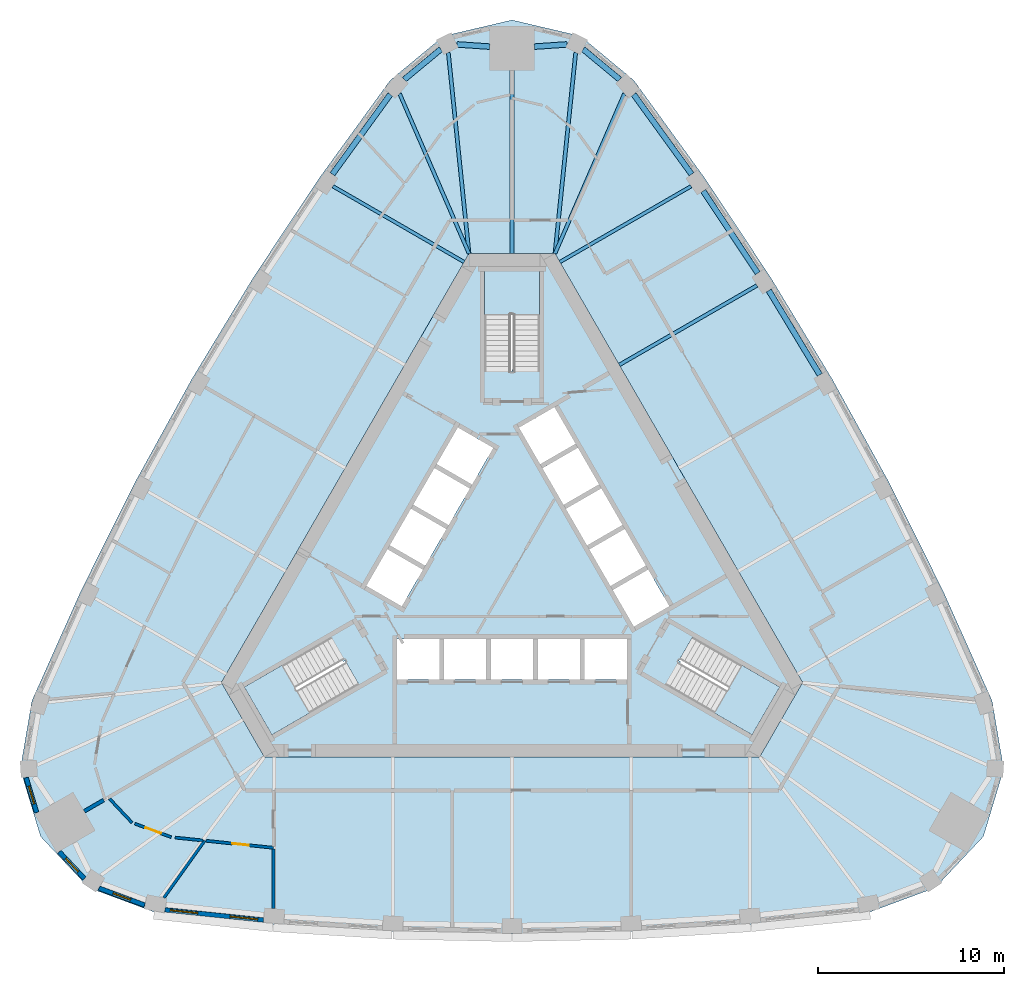
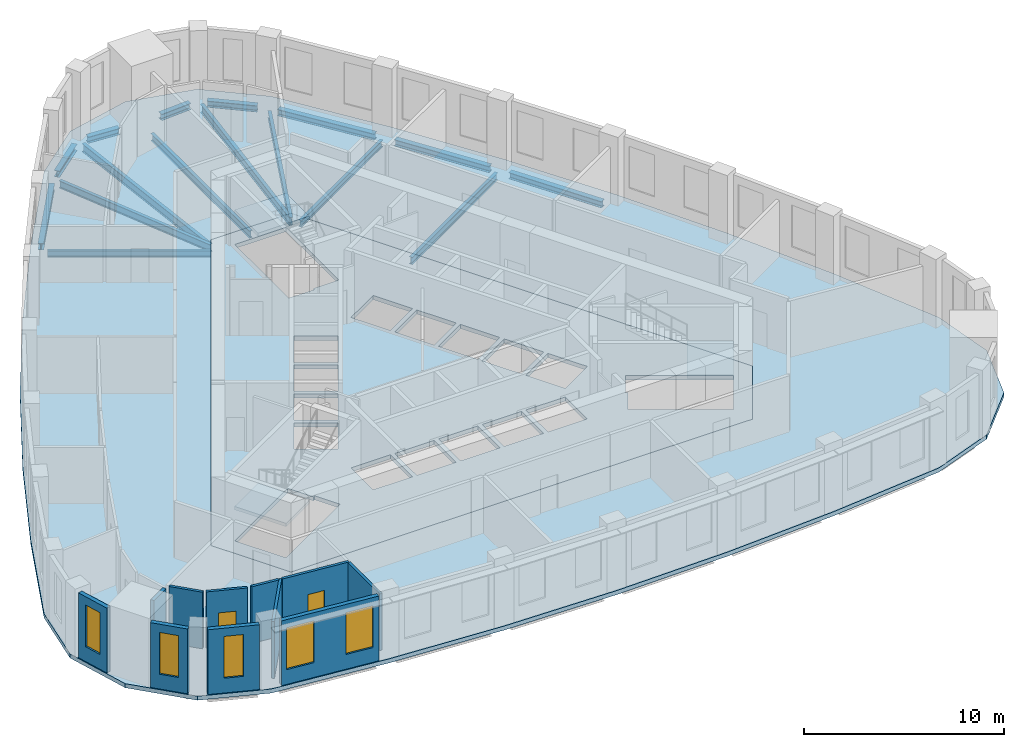
# One storey, part 2 of 10: 16 beams, 11 walls, 5 slabs, 5 windows, 2 doors, 7 openings, 3 elements without a shape of their own.
"""IFC4 building model written with IfcOpenShell, lengths in metres."""

from ifc_helpers import new_model, si_unit, direction, frame, frame_2d, origin, origin_2d, place, context, subcontext, project, spatial, polyline, rectangle, i_section, outline, extrude, material, layer, layer_set, material_profile, profile_set, type_object, element, fill, aggregate, save


model = new_model("IFC4")

# Units and contexts
model_context = context("Model", 3, precision=1e-05, world=origin(), true_north=direction((0.0, 1.0)))
body_context = subcontext(model_context, "Body", "Model", "MODEL_VIEW")
ifc_project = project(units=[si_unit("LENGTHUNIT", "METRE"), si_unit("AREAUNIT", "SQUARE_METRE"), si_unit("VOLUMEUNIT", "CUBIC_METRE"), si_unit("PLANEANGLEUNIT", "RADIAN"), si_unit("MASSUNIT", "GRAM", prefix="KILO")], contexts=[model_context])

# Site, building, storey
site_placement = place(None, origin())
site = spatial("IfcSite", under=ifc_project, at=site_placement, CompositionType="ELEMENT")
building_placement = place(site_placement, origin())
building = spatial("IfcBuilding", under=site, at=building_placement, Name="Mestral Congress Tower", CompositionType="ELEMENT")
storey_placement = place(building_placement, frame((0.0, 0.0, 214.199951171875)))
storey = spatial("IfcBuildingStorey", under=building, at=storey_placement, Name="L50", CompositionType="ELEMENT", Elevation=214.199951171875)

# Beams
ifc_material_1 = material(Name="Steel S355", Category="steel")
ifc_material_profile_1 = material_profile(ifc_material_1, i_section(OverallWidth=0.179931640625, OverallDepth=0.39990234375, WebThickness=0.008544921875, FlangeThickness=0.013427734375, FilletRadius=0.02099609375, at=origin_2d()), Name="IPE 400")
ifc_profile_set_1 = profile_set([ifc_material_profile_1], Name="Steel S355")
beam_type_1 = type_object("IfcBeamType", Name="Floor beam IPE 400 S355", PredefinedType="BEAM", material=ifc_profile_set_1)
for number, where, z_axis, x_axis, name in (
    (1, (9.627197265625, 20.321533203125, -0.449951171875), (-0.86601443812, -0.500018992608, 0.0), (0.500018992608, -0.86601443812, 0.0), "BM-L50-RB4-E05"),
    (2, (-9.627197265625, 20.321533203125, -0.449951171875), (0.86601443812, -0.500018992608, 0.0), (0.500018992608, 0.86601443812, 0.0), "BM-L50-RB4-W01"),
):
    element("IfcBeam", number, at=place(storey_placement, frame(where, z_axis=z_axis, x_axis=x_axis)), inside=storey, type_object=beam_type_1, Name=name, PredefinedType="BEAM", context=body_context, shape_type="SweptSolid", body=[
        extrude(i_section(OverallWidth=0.179931640625, OverallDepth=0.39990234375, WebThickness=0.008544921875, FlangeThickness=0.013427734375, FilletRadius=0.02099609375, at=origin_2d()), origin(), (0.0, 0.0, 1.0), 8.148193359375),
    ])
ifc_material_profile_2 = material_profile(ifc_material_1, i_section(OverallWidth=0.18994140625, OverallDepth=0.449951171875, WebThickness=0.009521484375, FlangeThickness=0.0146484375, FilletRadius=0.02099609375, at=origin_2d()), Name="IPE 450")
ifc_profile_set_2 = profile_set([ifc_material_profile_2], Name="Steel S355")
beam_type_2 = type_object("IfcBeamType", Name="Floor beam IPE 450 S355", PredefinedType="BEAM", material=ifc_profile_set_2)
beam_1_placement = place(storey_placement, frame((13.16650390625, 14.98974609375, -0.474853515625), z_axis=(-0.866028621479, -0.499994426748, 0.0), x_axis=(0.499994426748, -0.866028621479, 0.0)))
element("IfcBeam", 3, at=beam_1_placement, inside=storey, type_object=beam_type_2, Name="BM-L50-RB4-E04", PredefinedType="BEAM", context=body_context, shape_type="SweptSolid", body=[
    extrude(i_section(OverallWidth=0.18994140625, OverallDepth=0.449951171875, WebThickness=0.009521484375, FlangeThickness=0.0146484375, FilletRadius=0.02099609375, at=origin_2d()), origin(), (0.0, 0.0, 1.0), 8.54736328125),
])
beam_2_placement = place(storey_placement, frame((6.0419921875, 25.296875, -0.474853515625), z_axis=(-0.398265997009, -0.91726996878, 0.0), x_axis=(0.91726996878, -0.398265997009, 0.0)))
element("IfcBeam", 4, at=beam_2_placement, inside=storey, type_object=beam_type_2, Name="BM-L50-RB4-E06", PredefinedType="BEAM", context=body_context, shape_type="SweptSolid", body=[
    extrude(i_section(OverallWidth=0.18994140625, OverallDepth=0.449951171875, WebThickness=0.009521484375, FlangeThickness=0.0146484375, FilletRadius=0.02099609375, at=origin_2d()), origin(), (0.0, 0.0, 1.0), 9.372314453125),
])
beam_3_placement = place(storey_placement, frame((0.0, 26.54443359375, -0.474853515625), z_axis=(0.0, -1.0, 0.0), x_axis=(1.0, 0.0, 0.0)))
element("IfcBeam", 5, at=beam_3_placement, inside=storey, type_object=beam_type_2, Name="BM-L50-RB4-N", PredefinedType="BEAM", context=body_context, shape_type="SweptSolid", body=[
    extrude(i_section(OverallWidth=0.18994140625, OverallDepth=0.449951171875, WebThickness=0.009521484375, FlangeThickness=0.0146484375, FilletRadius=0.02099609375, at=origin_2d()), origin(), (0.0, 0.0, 1.0), 9.844482421875),
])
beam_4_placement = place(storey_placement, frame((-6.0419921875, 25.296875, -0.474853515625), z_axis=(0.398265997009, -0.91726996878, 0.0), x_axis=(0.91726996878, 0.398265997009, 0.0)))
element("IfcBeam", 6, at=beam_4_placement, inside=storey, type_object=beam_type_2, Name="BM-L50-RB4-W00", PredefinedType="BEAM", context=body_context, shape_type="SweptSolid", body=[
    extrude(i_section(OverallWidth=0.18994140625, OverallDepth=0.449951171875, WebThickness=0.009521484375, FlangeThickness=0.0146484375, FilletRadius=0.02099609375, at=origin_2d()), origin(), (0.0, 0.0, 1.0), 9.372314453125),
])
ifc_material_profile_3 = material_profile(ifc_material_1, i_section(OverallWidth=0.199951171875, OverallDepth=0.5, WebThickness=0.01025390625, FlangeThickness=0.01611328125, FilletRadius=0.02099609375, at=origin_2d()), Name="IPE 500")
ifc_profile_set_3 = profile_set([ifc_material_profile_3], Name="Steel S355")
beam_type_3 = type_object("IfcBeamType", Name="Floor beam IPE 500 S355", PredefinedType="BEAM", material=ifc_profile_set_3)
for number, where, z_axis, x_axis, name in (
    (7, (3.4228515625, 27.5009765625, -0.5), (-0.102550876252, -0.994727760636, 0.0), (0.994727760636, -0.102550876252, 0.0), "BM-L50-RB4-N1"),
    (8, (-3.4228515625, 27.5009765625, -0.5), (0.102550876252, -0.994727760636, 0.0), (0.994727760636, 0.102550876252, 0.0), "BM-L50-RB4-N3"),
):
    element("IfcBeam", number, at=place(storey_placement, frame(where, z_axis=z_axis, x_axis=x_axis)), inside=storey, type_object=beam_type_3, Name=name, PredefinedType="BEAM", context=body_context, shape_type="SweptSolid", body=[
        extrude(i_section(OverallWidth=0.199951171875, OverallDepth=0.5, WebThickness=0.01025390625, FlangeThickness=0.01611328125, FilletRadius=0.02099609375, at=origin_2d()), origin(), (0.0, 0.0, 1.0), 10.858154296875),
    ])
ifc_material_profile_4 = material_profile(ifc_material_1, i_section(OverallWidth=0.300048828125, OverallDepth=0.389892578125, WebThickness=0.010986328125, FlangeThickness=0.01904296875, FilletRadius=0.027099609375, at=origin_2d()), Name="HEA 400")
ifc_profile_set_4 = profile_set([ifc_material_profile_4], Name="Steel S355")
beam_type_4 = type_object("IfcBeamType", Name="Spandrel beam HEA 400 S355", PredefinedType="BEAM", material=ifc_profile_set_4)
for number, where, z_axis, x_axis, name in (
    (9, (16.54248046875, 10.185791015625, -0.445068359375), (-0.517865676042, 0.855461946306, 0.0), (-0.855461946306, -0.517865676042, 0.0), "SP-L50-SB4-E03"),
    (10, (13.209228515625, 15.648193359375, -0.445068359375), (-0.552934106774, 0.833224983762, 0.0), (-0.833224983762, -0.552934106774, 0.0), "SP-L50-SB4-E04"),
):
    element("IfcBeam", number, at=place(storey_placement, frame(where, z_axis=z_axis, x_axis=x_axis)), inside=storey, type_object=beam_type_4, Name=name, PredefinedType="BEAM", context=body_context, shape_type="SweptSolid", body=[
        extrude(i_section(OverallWidth=0.300048828125, OverallDepth=0.389892578125, WebThickness=0.010986328125, FlangeThickness=0.01904296875, FilletRadius=0.027099609375, at=origin_2d()), origin(), (0.0, 0.0, 1.0), 5.29931640625),
    ])
beam_5_placement = place(storey_placement, frame((9.652099609375, 20.967529296875, -0.445068359375), z_axis=(-0.587017415163, 0.809574304369, 0.0), x_axis=(-0.809574304369, -0.587017415163, 0.0)))
element("IfcBeam", 11, at=beam_5_placement, inside=storey, type_object=beam_type_4, Name="SP-L50-SB4-E05", PredefinedType="BEAM", context=body_context, shape_type="SweptSolid", body=[
    extrude(i_section(OverallWidth=0.300048828125, OverallDepth=0.389892578125, WebThickness=0.010986328125, FlangeThickness=0.01904296875, FilletRadius=0.027099609375, at=origin_2d()), origin(), (0.0, 0.0, 1.0), 5.29736328125),
])
beam_6_placement = place(storey_placement, frame((5.789306640625, 26.058837890625, -0.445068359375), z_axis=(-0.769970431757, 0.638079567311, 0.0), x_axis=(-0.638079567311, -0.769970431757, 0.0)))
element("IfcBeam", 12, at=beam_6_placement, inside=storey, type_object=beam_type_4, Name="SP-L50-SB4-E06", PredefinedType="BEAM", context=body_context, shape_type="SweptSolid", body=[
    extrude(i_section(OverallWidth=0.300048828125, OverallDepth=0.389892578125, WebThickness=0.010986328125, FlangeThickness=0.01904296875, FilletRadius=0.027099609375, at=origin_2d()), origin(), (0.0, 0.0, 1.0), 2.547119140625),
])
for number, where, z_axis, x_axis, name in (
    (13, (2.9521484375, 27.94384765625, -0.445068359375), (-0.997724466462, -0.067423208337, 0.0), (0.067423208337, -0.997724466462, 0.0), "SP-L50-SB4-N1"),
    (14, (-1.199951171875, 27.825439453125, -0.445068359375), (-0.997724466462, 0.067423208337, 0.0), (-0.067423208337, -0.997724466462, 0.0), "SP-L50-SB4-N"),
):
    element("IfcBeam", number, at=place(storey_placement, frame(where, z_axis=z_axis, x_axis=x_axis)), inside=storey, type_object=beam_type_4, Name=name, PredefinedType="BEAM", context=body_context, shape_type="SweptSolid", body=[
        extrude(i_section(OverallWidth=0.300048828125, OverallDepth=0.389892578125, WebThickness=0.010986328125, FlangeThickness=0.01904296875, FilletRadius=0.027099609375, at=origin_2d()), origin(), (0.0, 0.0, 1.0), 1.756103515625),
    ])
beam_7_placement = place(storey_placement, frame((-3.828125, 27.68408203125, -0.445068359375), z_axis=(-0.769970431757, -0.638079567311, 0.0), x_axis=(0.638079567311, -0.769970431757, 0.0)))
element("IfcBeam", 15, at=beam_7_placement, inside=storey, type_object=beam_type_4, Name="SP-L50-SB4-N3", PredefinedType="BEAM", context=body_context, shape_type="SweptSolid", body=[
    extrude(i_section(OverallWidth=0.300048828125, OverallDepth=0.389892578125, WebThickness=0.010986328125, FlangeThickness=0.01904296875, FilletRadius=0.027099609375, at=origin_2d()), origin(), (0.0, 0.0, 1.0), 2.547119140625),
])
beam_8_placement = place(storey_placement, frame((-6.54248046875, 25.256103515625, -0.445068359375), z_axis=(-0.587017415163, -0.809574304369, 0.0), x_axis=(0.809574304369, -0.587017415163, 0.0)))
element("IfcBeam", 16, at=beam_8_placement, inside=storey, type_object=beam_type_4, Name="SP-L50-SB4-W00", PredefinedType="BEAM", context=body_context, shape_type="SweptSolid", body=[
    extrude(i_section(OverallWidth=0.300048828125, OverallDepth=0.389892578125, WebThickness=0.010986328125, FlangeThickness=0.01904296875, FilletRadius=0.027099609375, at=origin_2d()), origin(), (0.0, 0.0, 1.0), 5.29736328125),
])

# Slabs
ifc_material_2 = material(Name="Concrete C35/45", Category="concrete")
ifc_layer_1 = layer(ifc_material_2, 0.25)
ifc_layer_set_1 = layer_set([ifc_layer_1], Name="Concrete C35/45")
slab_type_1 = type_object("IfcSlabType", Name="Composite floor slab 250", PredefinedType="FLOOR", material=ifc_layer_set_1)
placement_1 = place(storey_placement, frame((0.0, 0.0, -0.25)))
element("IfcSlab", 17, at=placement_1, inside=storey, type_object=slab_type_1, Name="SL-L50", PredefinedType="FLOOR", context=body_context, shape_type="SweptSolid", body=[
    extrude(outline(polyline([(-19.253662109375, -18.678466796875), (-22.75, -17.381591796875), (-25.3369140625, -14.62841796875), (-26.427978515625, -11.01123046875), (-25.802978515625, -7.334716796875), (-23.16748046875, -1.4306640625), (-20.310302734375, 4.316650390625), (-17.21728515625, 9.9404296875), (-13.8935546875, 15.430908203125), (-10.3447265625, 20.77880859375), (-6.54931640625, 26.013427734375), (-3.677978515625, 28.392822265625), (0.0, 29.256591796875), (3.677978515625, 28.392822265625), (6.54931640625, 26.013427734375), (10.3447265625, 20.77880859375), (13.8935546875, 15.430908203125), (17.21728515625, 9.9404296875), (20.310302734375, 4.316650390625), (23.16748046875, -1.4306640625), (25.802978515625, -7.334716796875), (26.427978515625, -11.01123046875), (25.3369140625, -14.62841796875), (22.75, -17.381591796875), (19.253662109375, -18.678466796875), (12.822509765625, -19.34814453125), (6.416748046875, -19.74755859375), (0.0, -19.880615234375), (-6.416748046875, -19.74755859375), (-12.822509765625, -19.34814453125), (-19.253662109375, -18.678466796875)]), holes=[polyline([(-2.309326171875, 16.699951171875), (-15.6171875, -6.35009765625), (-13.307861328125, -10.35009765625), (13.307861328125, -10.35009765625), (15.6171875, -6.35009765625), (2.309326171875, 16.699951171875), (-2.309326171875, 16.699951171875)])]), origin(), (0.0, 0.0, 1.0), 0.25),
])
ifc_material_3 = material(Name="Concrete C60/75", Category="concrete")
ifc_layer_2 = layer(ifc_material_3, 0.25)
ifc_layer_set_2 = layer_set([ifc_layer_2], Name="Concrete C60/75")
slab_type_2 = type_object("IfcSlabType", Name="Core floor slab RC 250", PredefinedType="FLOOR", material=ifc_layer_set_2)
element("IfcSlab", 18, at=placement_1, inside=storey, type_object=slab_type_2, Name="L50 core floor", PredefinedType="FLOOR", context=body_context, shape_type="SweptSolid", body=[
    extrude(outline(polyline([(13.307861328125, -10.35009765625), (-13.307861328125, -10.35009765625), (-15.6171875, -6.35009765625), (-2.309326171875, 16.699951171875), (2.309326171875, 16.699951171875), (15.6171875, -6.35009765625), (13.307861328125, -10.35009765625)]), holes=[polyline([(-9.8046875, -3.95751953125), (-14.37744140625, -6.59765625), (-12.90234375, -9.15234375), (-8.234619140625, -6.45751953125), (-8.971923828125, -5.179931640625), (-9.0673828125, -5.235107421875), (-9.8046875, -3.95751953125)]), polyline([(-3.905029296875, -4.0), (-6.175048828125, -4.0), (-6.175048828125, -6.199951171875), (-3.905029296875, -6.199951171875), (-3.905029296875, -4.0)]), polyline([(-1.385009765625, -4.0), (-3.655029296875, -4.0), (-3.655029296875, -6.199951171875), (-1.385009765625, -6.199951171875), (-1.385009765625, -4.0)]), polyline([(1.135009765625, -4.0), (-1.135009765625, -4.0), (-1.135009765625, -6.199951171875), (1.135009765625, -6.199951171875), (1.135009765625, -4.0)]), polyline([(-5.921630859375, -2.256591796875), (-4.78662109375, -0.29052734375), (-6.69189453125, 0.809326171875), (-7.826904296875, -1.156494140625), (-5.921630859375, -2.256591796875)]), polyline([(-4.66162109375, -0.07421875), (-3.526611328125, 1.8916015625), (-5.431884765625, 2.99169921875), (-6.56689453125, 1.02587890625), (-4.66162109375, -0.07421875)]), polyline([(-3.401611328125, 2.1083984375), (-2.2666015625, 4.07421875), (-4.171875, 5.174072265625), (-5.306884765625, 3.208251953125), (-3.401611328125, 2.1083984375)]), polyline([(-2.1416015625, 4.29052734375), (-1.006591796875, 6.256591796875), (-2.911865234375, 7.3564453125), (-4.046875, 5.390625), (-2.1416015625, 4.29052734375)]), polyline([(1.47509765625, 10.469970703125), (1.47509765625, 15.75), (-1.47509765625, 15.75), (-1.47509765625, 10.360107421875), (0.0, 10.360107421875), (0.0, 10.469970703125), (1.47509765625, 10.469970703125)]), polyline([(8.329833984375, -6.512451171875), (12.90234375, -9.15234375), (14.37744140625, -6.59765625), (9.70947265625, -3.902587890625), (8.971923828125, -5.179931640625), (9.0673828125, -5.235107421875), (8.329833984375, -6.512451171875)]), polyline([(3.655029296875, -4.0), (1.385009765625, -4.0), (1.385009765625, -6.199951171875), (3.655029296875, -6.199951171875), (3.655029296875, -4.0)]), polyline([(6.175048828125, -4.0), (3.905029296875, -4.0), (3.905029296875, -6.199951171875), (6.175048828125, -6.199951171875), (6.175048828125, -4.0)]), polyline([(5.41650390625, -1.3818359375), (6.551513671875, -3.34765625), (8.456787109375, -2.247802734375), (7.322021484375, -0.28173828125), (5.41650390625, -1.3818359375)]), polyline([(4.156494140625, 0.800537109375), (5.29150390625, -1.165283203125), (7.197021484375, -0.065185546875), (6.06201171875, 1.900634765625), (4.156494140625, 0.800537109375)]), polyline([(2.896484375, 2.98291015625), (4.031494140625, 1.01708984375), (5.93701171875, 2.1171875), (4.802001953125, 4.0830078125), (2.896484375, 2.98291015625)]), polyline([(3.5419921875, 6.265380859375), (1.63671875, 5.165283203125), (2.771484375, 3.199462890625), (4.677001953125, 4.29931640625), (3.5419921875, 6.265380859375)]), polyline([(2.281982421875, 8.44775390625), (0.376708984375, 7.34765625), (1.51171875, 5.3818359375), (3.4169921875, 6.481689453125), (2.281982421875, 8.44775390625)])]), origin(), (0.0, 0.0, 1.0), 0.25),
])

# Stair, slab
stair_type = type_object("IfcStairType", Name="Exit stair 1400", PredefinedType="HALF_TURN_STAIR", material=ifc_material_3)
placement_2 = place(storey_placement, origin())
stair_1 = element("IfcStair", 19, at=placement_2, inside=storey, type_object=stair_type, Name="L50 ST1", PredefinedType="HALF_TURN_STAIR")
ifc_layer_3 = layer(ifc_material_3, 0.199951171875)
ifc_layer_set_3 = layer_set([ifc_layer_3], Name="Concrete C60/75")
slab_type_3 = type_object("IfcSlabType", Name="Exit stair landing 200", PredefinedType="LANDING", material=ifc_layer_set_3)
placement_3 = place(storey_placement, frame((0.0, 0.0, 1.900146484375)))
slab_3 = element("IfcSlab", 20, at=placement_3, type_object=slab_type_3, Name="ST1 landing 1", PredefinedType="LANDING", context=body_context, shape_type="SweptSolid", body=[
    extrude(outline(polyline([(10.879638671875, -7.99609375), (12.364501953125, -5.424072265625), (14.39111328125, -6.593994140625), (12.906005859375, -9.166015625), (10.879638671875, -7.99609375)])), origin(), (0.0, 0.0, 1.0), 0.199951171875),
])
aggregate(stair_1, [slab_3])

stair_2 = element("IfcStair", 21, at=placement_2, inside=storey, type_object=stair_type, Name="L50 ST2", PredefinedType="HALF_TURN_STAIR")
slab_4 = element("IfcSlab", 22, at=placement_3, type_object=slab_type_3, Name="ST2 landing 1", PredefinedType="LANDING", context=body_context, shape_type="SweptSolid", body=[
    extrude(outline(polyline([(1.485107421875, 13.419921875), (-1.485107421875, 13.419921875), (-1.485107421875, 15.760009765625), (1.485107421875, 15.760009765625), (1.485107421875, 13.419921875)])), origin(), (0.0, 0.0, 1.0), 0.199951171875),
])
aggregate(stair_2, [slab_4])

stair_3 = element("IfcStair", 23, at=placement_2, inside=storey, type_object=stair_type, Name="L50 ST3", PredefinedType="HALF_TURN_STAIR")
slab_5 = element("IfcSlab", 24, at=placement_3, type_object=slab_type_3, Name="ST3 landing 1", PredefinedType="LANDING", context=body_context, shape_type="SweptSolid", body=[
    extrude(outline(polyline([(-12.364501953125, -5.424072265625), (-10.879638671875, -7.99609375), (-12.906005859375, -9.166015625), (-14.39111328125, -6.593994140625), (-12.364501953125, -5.424072265625)])), origin(), (0.0, 0.0, 1.0), 0.199951171875),
])
aggregate(stair_3, [slab_5])

# Wall, openings, windows
ifc_material_4 = material(Name="Precast concrete C40/50 with limestone facing", Category="masonry")
ifc_layer_4 = layer(ifc_material_4, 0.239990234375)
ifc_layer_set_4 = layer_set([ifc_layer_4], Name="Precast concrete C40/50 with limestone facing")
wall_type_1 = type_object("IfcWallType", Name="Facade stone wall 240", PredefinedType="SOLIDWALL", material=ifc_layer_set_4)
wall_1_placement = place(storey_placement, frame((-18.644287109375, -18.571044921875, 0.0), z_axis=(0.0, 0.0, 1.0), x_axis=(0.994621961215, -0.103571976272, 0.0)))
wall_1 = element("IfcWall", 25, at=wall_1_placement, inside=storey, type_object=wall_type_1, Name="Facade wall F0-00", PredefinedType="SOLIDWALL", context=body_context, shape_type="SweptSolid", body=[
    extrude(rectangle(XDim=5.310791015625, YDim=0.239990234375, at=frame_2d((2.6552734375, 0.0))), origin(), (0.0, 0.0, 1.0), 3.949951171875),
])
opening_1_placement = place(wall_1_placement, frame((0.271484375, 0.0, 0.89990234375)))
opening_1 = element("IfcOpeningElement", 26, at=opening_1_placement, cuts=wall_1, Name="Opening W4", PredefinedType="OPENING", context=body_context, shape_type="SweptSolid", body=[
    extrude(rectangle(XDim=1.5, YDim=2.550048828125, at=frame_2d((0.75, 1.27490234375))), frame((0.0, 0.1298828125, 0.0), z_axis=(0.0, -1.0, 0.0), x_axis=(1.0, 0.0, 0.0)), (0.0, 0.0, 1.0), 0.260009765625),
])
opening_2_placement = place(wall_1_placement, frame((3.50439453125, 0.0, 0.89990234375)))
opening_2 = element("IfcOpeningElement", 27, at=opening_2_placement, cuts=wall_1, Name="Opening W4", PredefinedType="OPENING", context=body_context, shape_type="SweptSolid", body=[
    extrude(rectangle(XDim=1.5, YDim=2.550048828125, at=frame_2d((0.75, 1.27490234375))), frame((0.0, 0.1298828125, 0.0), z_axis=(0.0, -1.0, 0.0), x_axis=(1.0, 0.0, 0.0)), (0.0, 0.0, 1.0), 0.260009765625),
])
ifc_material_5 = material(Name="Clear low-emissivity double glazing", Category="glass")
window_type_1 = type_object("IfcWindowType", Name="Facade punched window 1500 x 2550 sill 900", PartitioningType="SINGLE_PANEL", PredefinedType="WINDOW", material=ifc_material_5)
window_1_placement = place(opening_1_placement, origin())
window_1 = element("IfcWindow", 28, at=window_1_placement, inside=storey, type_object=window_type_1, Name="Window F0-00a", OverallHeight=2.550048828125, OverallWidth=1.5, PartitioningType="SINGLE_PANEL", PredefinedType="WINDOW", context=body_context, shape_type="SweptSolid", body=[
    extrude(rectangle(XDim=1.5, YDim=2.550048828125, at=frame_2d((0.75, 1.27490234375))), frame((0.0, 0.0400390625, 0.0), z_axis=(0.0, -1.0, 0.0), x_axis=(1.0, 0.0, 0.0)), (0.0, 0.0, 1.0), 0.06005859375),
])
fill(opening_1, window_1)
window_2_placement = place(opening_2_placement, origin())
window_2 = element("IfcWindow", 29, at=window_2_placement, inside=storey, type_object=window_type_1, Name="Window F0-00b", OverallHeight=2.550048828125, OverallWidth=1.5, PartitioningType="SINGLE_PANEL", PredefinedType="WINDOW", context=body_context, shape_type="SweptSolid", body=[
    extrude(rectangle(XDim=1.5, YDim=2.550048828125, at=frame_2d((0.75, 1.27490234375))), frame((0.0, 0.0400390625, 0.0), z_axis=(0.0, -1.0, 0.0), x_axis=(1.0, 0.0, 0.0)), (0.0, 0.0, 1.0), 0.06005859375),
])
fill(opening_2, window_2)

# Wall, opening, window
wall_2_placement = place(storey_placement, frame((-26.1123046875, -11.469482421875, 0.0), z_axis=(0.0, 0.0, 1.0), x_axis=(0.288727209095, -0.957411405159, 0.0)))
wall_2 = element("IfcWall", 30, at=wall_2_placement, inside=storey, type_object=wall_type_1, Name="Facade wall K2-1", PredefinedType="SOLIDWALL", context=body_context, shape_type="SweptSolid", body=[
    extrude(rectangle(XDim=1.9482421875, YDim=0.239990234375, at=frame_2d((0.97412109375, 0.0))), origin(), (0.0, 0.0, 1.0), 3.949951171875),
])
opening_3_placement = place(wall_2_placement, frame((0.47412109375, 0.0, 0.89990234375)))
opening_3 = element("IfcOpeningElement", 31, at=opening_3_placement, cuts=wall_2, Name="Opening W5", PredefinedType="OPENING", context=body_context, shape_type="SweptSolid", body=[
    extrude(rectangle(XDim=1.0, YDim=2.550048828125, at=frame_2d((0.5, 1.27490234375))), frame((0.0, 0.1298828125, 0.0), z_axis=(0.0, -1.0, 0.0), x_axis=(1.0, 0.0, 0.0)), (0.0, 0.0, 1.0), 0.260009765625),
])
window_type_2 = type_object("IfcWindowType", Name="Facade punched window 1000 x 2550 sill 900", PartitioningType="SINGLE_PANEL", PredefinedType="WINDOW", material=ifc_material_5)
window_3_placement = place(opening_3_placement, origin())
window_3 = element("IfcWindow", 32, at=window_3_placement, inside=storey, type_object=window_type_2, Name="Window K2-1", OverallHeight=2.550048828125, OverallWidth=1.0, PartitioningType="SINGLE_PANEL", PredefinedType="WINDOW", context=body_context, shape_type="SweptSolid", body=[
    extrude(rectangle(XDim=1.0, YDim=2.550048828125, at=frame_2d((0.5, 1.27490234375))), frame((0.0, 0.0400390625, 0.0), z_axis=(0.0, -1.0, 0.0), x_axis=(1.0, 0.0, 0.0)), (0.0, 0.0, 1.0), 0.06005859375),
])
fill(opening_3, window_3)

wall_3_placement = place(storey_placement, frame((-24.322998046875, -15.459228515625, 0.0), z_axis=(0.0, 0.0, 1.0), x_axis=(0.684770274166, -0.728758994194, 0.0)))
wall_3 = element("IfcWall", 33, at=wall_3_placement, inside=storey, type_object=wall_type_1, Name="Facade wall K2-2", PredefinedType="SOLIDWALL", context=body_context, shape_type="SweptSolid", body=[
    extrude(rectangle(XDim=1.947998046875, YDim=0.239990234375, at=frame_2d((0.97412109375, 0.0))), origin(), (0.0, 0.0, 1.0), 3.949951171875),
])
opening_4_placement = place(wall_3_placement, frame((0.47412109375, 0.0, 0.89990234375)))
opening_4 = element("IfcOpeningElement", 34, at=opening_4_placement, cuts=wall_3, Name="Opening W5", PredefinedType="OPENING", context=body_context, shape_type="SweptSolid", body=[
    extrude(rectangle(XDim=1.0, YDim=2.550048828125, at=frame_2d((0.5, 1.27490234375))), frame((0.0, 0.1298828125, 0.0), z_axis=(0.0, -1.0, 0.0), x_axis=(1.0, 0.0, 0.0)), (0.0, 0.0, 1.0), 0.260009765625),
])
window_4_placement = place(opening_4_placement, origin())
window_4 = element("IfcWindow", 35, at=window_4_placement, inside=storey, type_object=window_type_2, Name="Window K2-2", OverallHeight=2.550048828125, OverallWidth=1.0, PartitioningType="SINGLE_PANEL", PredefinedType="WINDOW", context=body_context, shape_type="SweptSolid", body=[
    extrude(rectangle(XDim=1.0, YDim=2.550048828125, at=frame_2d((0.5, 1.27490234375))), frame((0.0, 0.0400390625, 0.0), z_axis=(0.0, -1.0, 0.0), x_axis=(1.0, 0.0, 0.0)), (0.0, 0.0, 1.0), 0.06005859375),
])
fill(opening_4, window_4)

wall_4_placement = place(storey_placement, frame((-22.194091796875, -17.406494140625, 0.0), z_axis=(0.0, 0.0, 1.0), x_axis=(0.937569171184, -0.347798863203, 0.0)))
wall_4 = element("IfcWall", 36, at=wall_4_placement, inside=storey, type_object=wall_type_1, Name="Facade wall K2-3", PredefinedType="SOLIDWALL", context=body_context, shape_type="SweptSolid", body=[
    extrude(rectangle(XDim=2.609130859375, YDim=0.239990234375, at=frame_2d((1.3046875, 0.0))), origin(), (0.0, 0.0, 1.0), 3.949951171875),
])
opening_5_placement = place(wall_4_placement, frame((0.8046875, 0.0, 0.89990234375)))
opening_5 = element("IfcOpeningElement", 37, at=opening_5_placement, cuts=wall_4, Name="Opening W5", PredefinedType="OPENING", context=body_context, shape_type="SweptSolid", body=[
    extrude(rectangle(XDim=1.0, YDim=2.550048828125, at=frame_2d((0.5, 1.27490234375))), frame((0.0, 0.1298828125, 0.0), z_axis=(0.0, -1.0, 0.0), x_axis=(1.0, 0.0, 0.0)), (0.0, 0.0, 1.0), 0.260009765625),
])
window_5_placement = place(opening_5_placement, origin())
window_5 = element("IfcWindow", 38, at=window_5_placement, inside=storey, type_object=window_type_2, Name="Window K2-3", OverallHeight=2.550048828125, OverallWidth=1.0, PartitioningType="SINGLE_PANEL", PredefinedType="WINDOW", context=body_context, shape_type="SweptSolid", body=[
    extrude(rectangle(XDim=1.0, YDim=2.550048828125, at=frame_2d((0.5, 1.27490234375))), frame((0.0, 0.0400390625, 0.0), z_axis=(0.0, -1.0, 0.0), x_axis=(1.0, 0.0, 0.0)), (0.0, 0.0, 1.0), 0.06005859375),
])
fill(opening_5, window_5)

# Walls
ifc_material_6 = material(Name="Plasterboard partition on steel studs", Category="steel")
ifc_layer_5 = layer(ifc_material_6, 0.14990234375)
ifc_layer_set_5 = layer_set([ifc_layer_5], Name="Plasterboard partition on steel studs")
wall_type_2 = type_object("IfcWallType", Name="Office partition 150", PredefinedType="PARTITIONING", material=ifc_layer_set_5)
wall_5_placement = place(storey_placement, frame((-16.52099609375, -14.85107421875, 0.0), z_axis=(0.0, 0.0, 1.0), x_axis=(-0.58104805465, -0.813869251285, 0.0)))
element("IfcWall", 39, at=wall_5_placement, inside=storey, type_object=wall_type_2, Name="Partition", PredefinedType="PARTITIONING", context=body_context, shape_type="SweptSolid", body=[
    extrude(rectangle(XDim=3.765625, YDim=0.14990234375, at=frame_2d((1.8828125, 0.0))), origin(), (0.0, 0.0, 1.0), 3.449951171875),
])
wall_6_placement = place(storey_placement, frame((-21.62841796875, -12.6025390625, 0.0), z_axis=(0.0, 0.0, 1.0), x_axis=(0.684778496912, -0.728751267695, 0.0)))
element("IfcWall", 40, at=wall_6_placement, inside=storey, type_object=wall_type_2, Name="Partition", PredefinedType="PARTITIONING", context=body_context, shape_type="SweptSolid", body=[
    extrude(rectangle(XDim=1.75439453125, YDim=0.14990234375, at=frame_2d((0.877197265625, 0.0))), origin(), (0.0, 0.0, 1.0), 3.449951171875),
])

# Wall, opening, door
wall_7_placement = place(storey_placement, frame((-18.31591796875, -14.6640625, 0.0), z_axis=(0.0, 0.0, 1.0), x_axis=(-0.937594570401, 0.347730386297, 0.0)))
wall_7 = element("IfcWall", 41, at=wall_7_placement, inside=storey, type_object=wall_type_2, Name="Partition", PredefinedType="PARTITIONING", context=body_context, shape_type="SweptSolid", body=[
    extrude(rectangle(XDim=2.0830078125, YDim=0.14990234375, at=frame_2d((1.04150390625, 0.0))), origin(), (0.0, 0.0, 1.0), 3.449951171875),
])
opening_6_placement = place(wall_7_placement, frame((0.583251953125, 0.0, 0.0)))
opening_6 = element("IfcOpeningElement", 42, at=opening_6_placement, cuts=wall_7, Name="Opening O07-017", PredefinedType="OPENING", context=body_context, shape_type="SweptSolid", body=[
    extrude(rectangle(XDim=0.89990234375, YDim=2.10009765625, at=frame_2d((0.449951171875, 1.050048828125))), frame((0.0, 0.0849609375, 0.0), z_axis=(0.0, -1.0, 0.0), x_axis=(1.0, 0.0, 0.0)), (0.0, 0.0, 1.0), 0.169921875),
])
ifc_material_7 = material(Name="Timber door set", Category="wood")
door_type = type_object("IfcDoorType", Name="Office door 900x2100", OperationType="SINGLE_SWING_LEFT", PredefinedType="DOOR", material=ifc_material_7)
door_1_placement = place(opening_6_placement, origin())
door_1 = element("IfcDoor", 43, at=door_1_placement, inside=storey, type_object=door_type, Name="Door O07-017", OperationType="SINGLE_SWING_LEFT", OverallHeight=2.10009765625, OverallWidth=0.89990234375, PredefinedType="DOOR", context=body_context, shape_type="SweptSolid", body=[
    extrude(rectangle(XDim=0.89990234375, YDim=2.10009765625, at=frame_2d((0.449951171875, 1.050048828125))), frame((0.0, 0.02490234375, 0.0), z_axis=(0.0, -1.0, 0.0), x_axis=(1.0, 0.0, 0.0)), (0.0, 0.0, 1.0), 0.050048828125),
])
fill(opening_6, door_1)

# Wall
wall_8_placement = place(storey_placement, frame((-18.102783203125, -14.686279296875, 0.0), z_axis=(0.0, 0.0, 1.0), x_axis=(0.994622241781, -0.103569281909, 0.0)))
element("IfcWall", 44, at=wall_8_placement, inside=storey, type_object=wall_type_2, Name="Partition", PredefinedType="PARTITIONING", context=body_context, shape_type="SweptSolid", body=[
    extrude(rectangle(XDim=1.50390625, YDim=0.14990234375, at=frame_2d((0.751953125, 0.0))), origin(), (0.0, 0.0, 1.0), 3.449951171875),
])

# Wall, opening, door
wall_9_placement = place(storey_placement, frame((-12.822509765625, -15.236083984375, 0.0), z_axis=(0.0, 0.0, 1.0), x_axis=(-0.994621582944, 0.10357560882, 0.0)))
wall_9 = element("IfcWall", 45, at=wall_9_placement, inside=storey, type_object=wall_type_2, Name="Partition", PredefinedType="PARTITIONING", context=body_context, shape_type="SweptSolid", body=[
    extrude(rectangle(XDim=3.63232421875, YDim=0.14990234375, at=frame_2d((1.816162109375, 0.0))), origin(), (0.0, 0.0, 1.0), 3.449951171875),
])
opening_7_placement = place(wall_9_placement, frame((1.332275390625, 0.0, 0.0)))
opening_7 = element("IfcOpeningElement", 46, at=opening_7_placement, cuts=wall_9, Name="Opening O07-018", PredefinedType="OPENING", context=body_context, shape_type="SweptSolid", body=[
    extrude(rectangle(XDim=0.89990234375, YDim=2.10009765625, at=frame_2d((0.449951171875, 1.050048828125))), frame((0.0, 0.0849609375, 0.0), z_axis=(0.0, -1.0, 0.0), x_axis=(1.0, 0.0, 0.0)), (0.0, 0.0, 1.0), 0.169921875),
])
door_2_placement = place(opening_7_placement, origin())
door_2 = element("IfcDoor", 47, at=door_2_placement, inside=storey, type_object=door_type, Name="Door O07-018", OperationType="SINGLE_SWING_LEFT", OverallHeight=2.10009765625, OverallWidth=0.89990234375, PredefinedType="DOOR", context=body_context, shape_type="SweptSolid", body=[
    extrude(rectangle(XDim=0.89990234375, YDim=2.10009765625, at=frame_2d((0.449951171875, 1.050048828125))), frame((0.0, 0.02490234375, 0.0), z_axis=(0.0, -1.0, 0.0), x_axis=(1.0, 0.0, 0.0)), (0.0, 0.0, 1.0), 0.050048828125),
])
fill(opening_7, door_2)

# Walls
wall_10_placement = place(storey_placement, frame((-12.822509765625, -15.3115234375, 0.0), z_axis=(0.0, 0.0, 1.0), x_axis=(0.0, -1.0, 0.0)))
element("IfcWall", 48, at=wall_10_placement, inside=storey, type_object=wall_type_2, Name="Partition", PredefinedType="PARTITIONING", context=body_context, shape_type="SweptSolid", body=[
    extrude(rectangle(XDim=3.18359375, YDim=0.14990234375, at=frame_2d((1.591796875, 0.0))), origin(), (0.0, 0.0, 1.0), 3.449951171875),
])
ifc_material_8 = material(Name="Dense masonry wall, plastered", Category="masonry")
ifc_layer_6 = layer(ifc_material_8, 0.199951171875)
ifc_layer_set_6 = layer_set([ifc_layer_6], Name="Dense masonry wall, plastered")
wall_type_3 = type_object("IfcWallType", Name="Office tenancy wall 200", PredefinedType="PARTITIONING", material=ifc_layer_set_6)
wall_11_placement = place(storey_placement, frame((-21.943359375, -12.6689453125, 0.0), z_axis=(0.0, 0.0, 1.0), x_axis=(-0.866030586491, -0.499991023182, 0.0)))
element("IfcWall", 49, at=wall_11_placement, inside=storey, type_object=wall_type_3, Name="Tenancy wall", PredefinedType="PARTITIONING", context=body_context, shape_type="SweptSolid", body=[
    extrude(rectangle(XDim=1.20654296875, YDim=0.199951171875, at=frame_2d((0.603271484375, 0.0))), origin(), (0.0, 0.0, 1.0), 3.449951171875),
])

save(model, "model.ifc")
